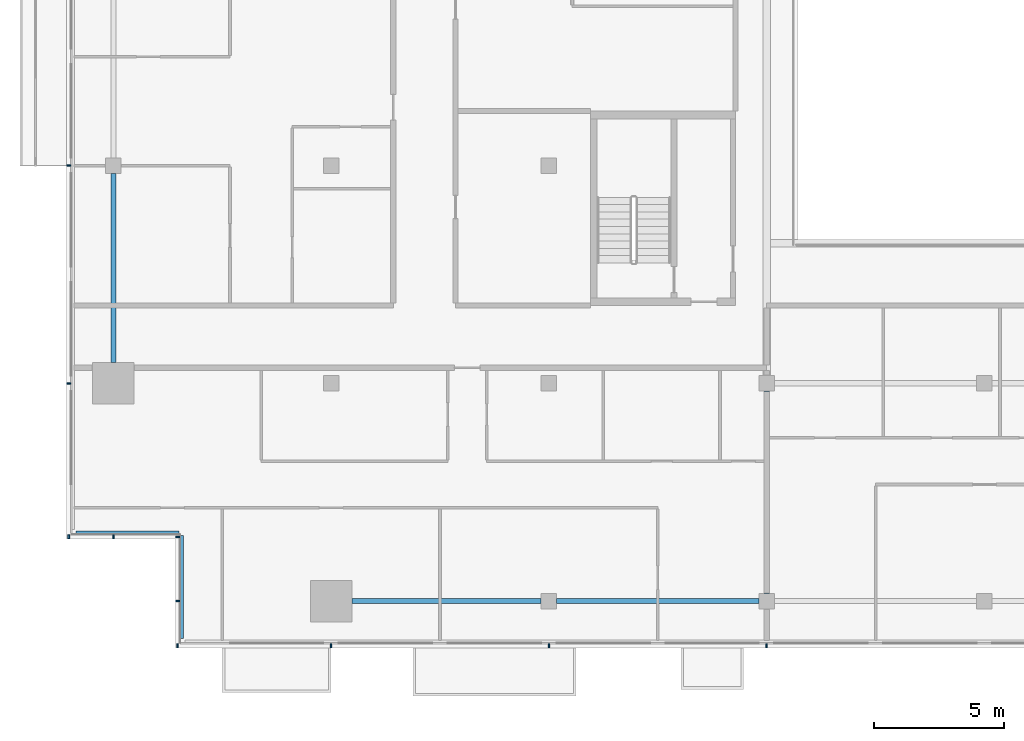
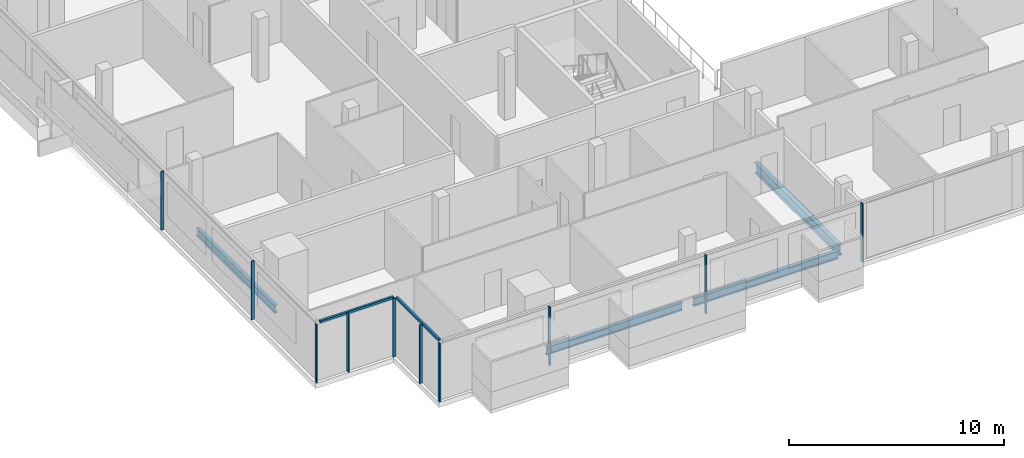
# One storey, part 2 of 29: 12 members, 4 beams, 4 elements without a shape of their own.
"""IFC4 building model written with IfcOpenShell, lengths in metres."""

from ifc_helpers import new_model, si_unit, direction, frame, origin, origin_2d, place, context, subcontext, project, spatial, rectangle, i_section, extrude, material, material_profile, profile_set, type_object, element, aggregate, save


model = new_model("IFC4")

# Units and contexts
model_context = context("Model", 3, precision=1e-05, world=origin(), true_north=direction((0.0, 1.0)))
body_context = subcontext(model_context, "Body", "Model", "MODEL_VIEW")
ifc_project = project(units=[si_unit("LENGTHUNIT", "METRE"), si_unit("AREAUNIT", "SQUARE_METRE"), si_unit("VOLUMEUNIT", "CUBIC_METRE"), si_unit("PLANEANGLEUNIT", "RADIAN"), si_unit("MASSUNIT", "GRAM", prefix="KILO")], contexts=[model_context])

# Site, building, storey
site_placement = place(None, origin())
site = spatial("IfcSite", under=ifc_project, at=site_placement, CompositionType="ELEMENT")
building_placement = place(site_placement, origin())
building = spatial("IfcBuilding", under=site, at=building_placement, Name="Saffron Gate Tower", CompositionType="ELEMENT")
storey_placement = place(building_placement, frame((0.0, 0.0, 219.89990234375)))
storey = spatial("IfcBuildingStorey", under=building, at=storey_placement, Name="L53", CompositionType="ELEMENT", Elevation=219.89990234375)

# Beams
ifc_material_1 = material(Name="Structural steel S355", Category="steel")
ifc_material_profile_1 = material_profile(ifc_material_1, i_section(OverallWidth=0.219970703125, OverallDepth=0.60009765625, WebThickness=0.011962890625, FlangeThickness=0.01904296875, FilletRadius=0.02392578125, at=origin_2d()))
ifc_profile_set_1 = profile_set([ifc_material_profile_1], Name="Structural steel S355")
beam_type_1 = type_object("IfcBeamType", Name="B15 IPE 600", PredefinedType="BEAM", material=ifc_profile_set_1)
beam_1_placement = place(storey_placement, frame((75.0, 32.10009765625, -0.579833984375), z_axis=(0.0, 1.0, 0.0), x_axis=(-1.0, 0.0, 0.0)))
element("IfcBeam", 1, at=beam_1_placement, inside=storey, type_object=beam_type_1, Name="B15 FLOOR GIRDER", PredefinedType="BEAM", context=body_context, shape_type="SweptSolid", body=[
    extrude(i_section(OverallWidth=0.219970703125, OverallDepth=0.60009765625, WebThickness=0.011962890625, FlangeThickness=0.01904296875, FilletRadius=0.02392578125, at=origin_2d()), origin(), (0.0, 0.0, 1.0), 7.7998046875),
])
ifc_material_profile_2 = material_profile(ifc_material_1, i_section(OverallWidth=0.18994140625, OverallDepth=0.449951171875, WebThickness=0.009521484375, FlangeThickness=0.0146484375, FilletRadius=0.02099609375, at=origin_2d()))
ifc_profile_set_2 = profile_set([ifc_material_profile_2], Name="Structural steel S355")
beam_type_2 = type_object("IfcBeamType", Name="B7 IPE 450", PredefinedType="SPANDREL", material=ifc_profile_set_2)
for number, where, z_axis, x_axis, name in (
    (2, (49.800048828125, 41.0, -0.5048828125), (0.0, 1.0, 0.0), (-1.0, 0.0, 0.0), "B7 SPANDREL BEAM"),
    (3, (59.0, 31.800048828125, -0.5048828125), (1.0, 0.0, 0.0), (0.0, 1.0, 0.0), "B7 SPANDREL BEAM"),
):
    element("IfcBeam", number, at=place(storey_placement, frame(where, z_axis=z_axis, x_axis=x_axis)), inside=storey, type_object=beam_type_2, Name=name, PredefinedType="SPANDREL", context=body_context, shape_type="SweptSolid", body=[
        extrude(i_section(OverallWidth=0.18994140625, OverallDepth=0.449951171875, WebThickness=0.009521484375, FlangeThickness=0.0146484375, FilletRadius=0.02099609375, at=origin_2d()), origin(), (0.0, 0.0, 1.0), 7.300048828125),
    ])
beam_2_placement = place(storey_placement, frame((66.89990234375, 31.800048828125, -0.5048828125), z_axis=(1.0, 0.0, 0.0), x_axis=(0.0, 1.0, 0.0)))
element("IfcBeam", 4, at=beam_2_placement, inside=storey, type_object=beam_type_2, Name="B7 SPANDREL BEAM", PredefinedType="SPANDREL", context=body_context, shape_type="SweptSolid", body=[
    extrude(i_section(OverallWidth=0.18994140625, OverallDepth=0.449951171875, WebThickness=0.009521484375, FlangeThickness=0.0146484375, FilletRadius=0.02099609375, at=origin_2d()), origin(), (0.0, 0.0, 1.0), 7.800048828125),
])

# Curtain wall, members
ifc_material_2 = material(Name="Aluminium, bronze anodised", Category="aluminium")
curtain_wall_type_1 = type_object("IfcCurtainWallType", Name="CWS1 curtain wall front facade", PredefinedType="NOTDEFINED", material=ifc_material_2)
curtain_wall_1_placement = place(storey_placement, origin())
curtain_wall_1 = element("IfcCurtainWall", 5, at=curtain_wall_1_placement, inside=storey, type_object=curtain_wall_type_1, Name="CWS1 run 1", PredefinedType="NOTDEFINED")
ifc_material_profile_3 = material_profile(ifc_material_2, rectangle(XDim=0.159912109375, YDim=0.06005859375, at=origin_2d()))
ifc_profile_set_3 = profile_set([ifc_material_profile_3], Name="Aluminium, bronze anodised")
member_type_1 = type_object("IfcMemberType", Name="CWS1 mullion 60x160", PredefinedType="MULLION", material=ifc_profile_set_3)
member_1_placement = place(storey_placement, frame((52.280029296875, 30.080078125, 0.0), z_axis=(0.0, 0.0, 1.0), x_axis=(0.0, 1.0, 0.0)))
member_1 = element("IfcMember", 6, at=member_1_placement, type_object=member_type_1, Name="CWS1 mullion 1", PredefinedType="MULLION", context=body_context, shape_type="SweptSolid", body=[
    extrude(rectangle(XDim=0.159912109375, YDim=0.06005859375, at=origin_2d()), origin(), (0.0, 0.0, 1.0), 3.320068359375),
])
member_2_placement = place(storey_placement, frame((58.199951171875, 30.080078125, 0.0), z_axis=(0.0, 0.0, 1.0), x_axis=(0.0, 1.0, 0.0)))
member_2 = element("IfcMember", 7, at=member_2_placement, type_object=member_type_1, Name="CWS1 mullion 2", PredefinedType="MULLION", context=body_context, shape_type="SweptSolid", body=[
    extrude(rectangle(XDim=0.159912109375, YDim=0.06005859375, at=origin_2d()), origin(), (0.0, 0.0, 1.0), 3.320068359375),
])
member_3_placement = place(storey_placement, frame((66.60009765625, 30.080078125, 0.0), z_axis=(0.0, 0.0, 1.0), x_axis=(0.0, 1.0, 0.0)))
member_3 = element("IfcMember", 8, at=member_3_placement, type_object=member_type_1, Name="CWS1 mullion 3", PredefinedType="MULLION", context=body_context, shape_type="SweptSolid", body=[
    extrude(rectangle(XDim=0.159912109375, YDim=0.06005859375, at=origin_2d()), origin(), (0.0, 0.0, 1.0), 3.320068359375),
])
member_4_placement = place(storey_placement, frame((75.0, 30.080078125, 0.0), z_axis=(0.0, 0.0, 1.0), x_axis=(0.0, 1.0, 0.0)))
member_4 = element("IfcMember", 9, at=member_4_placement, type_object=member_type_1, Name="CWS1 mullion 4", PredefinedType="MULLION", context=body_context, shape_type="SweptSolid", body=[
    extrude(rectangle(XDim=0.159912109375, YDim=0.06005859375, at=origin_2d()), origin(), (0.0, 0.0, 1.0), 3.320068359375),
])
aggregate(curtain_wall_1, [member_1, member_2, member_3, member_4])

curtain_wall_type_2 = type_object("IfcCurtainWallType", Name="CWS2 curtain wall side facades", PredefinedType="NOTDEFINED", material=ifc_material_2)
curtain_wall_2_placement = place(storey_placement, origin())
curtain_wall_2 = element("IfcCurtainWall", 10, at=curtain_wall_2_placement, inside=storey, type_object=curtain_wall_type_2, Name="CWS2 run 10", PredefinedType="NOTDEFINED")
ifc_material_profile_4 = material_profile(ifc_material_2, rectangle(XDim=0.159912109375, YDim=0.06005859375, at=origin_2d()))
ifc_profile_set_4 = profile_set([ifc_material_profile_4], Name="Aluminium, bronze anodised")
member_type_2 = type_object("IfcMemberType", Name="CWS2 mullion 60x160", PredefinedType="MULLION", material=ifc_profile_set_4)
member_5_placement = place(storey_placement, frame((48.080078125, 48.60009765625, 0.0), z_axis=(0.0, 0.0, 1.0), x_axis=(1.0, 0.0, 0.0)))
member_5 = element("IfcMember", 11, at=member_5_placement, type_object=member_type_2, Name="CWS2 mullion 4", PredefinedType="MULLION", context=body_context, shape_type="SweptSolid", body=[
    extrude(rectangle(XDim=0.159912109375, YDim=0.06005859375, at=origin_2d()), origin(), (0.0, 0.0, 1.0), 3.320068359375),
])
member_6_placement = place(storey_placement, frame((48.080078125, 40.199951171875, 0.0), z_axis=(0.0, 0.0, 1.0), x_axis=(1.0, 0.0, 0.0)))
member_6 = element("IfcMember", 12, at=member_6_placement, type_object=member_type_2, Name="CWS2 mullion 5", PredefinedType="MULLION", context=body_context, shape_type="SweptSolid", body=[
    extrude(rectangle(XDim=0.159912109375, YDim=0.06005859375, at=origin_2d()), origin(), (0.0, 0.0, 1.0), 3.320068359375),
])
aggregate(curtain_wall_2, [member_5, member_6])

# Curtain wall, member
curtain_wall_type_3 = type_object("IfcCurtainWallType", Name="CWS4 curtain wall corner returns", PredefinedType="NOTDEFINED", material=ifc_material_2)
curtain_wall_3_placement = place(storey_placement, origin())
curtain_wall_3 = element("IfcCurtainWall", 13, at=curtain_wall_3_placement, inside=storey, type_object=curtain_wall_type_3, Name="CWS4 run 11", PredefinedType="NOTDEFINED")
ifc_material_profile_5 = material_profile(ifc_material_2, rectangle(XDim=0.1201171875, YDim=0.1201171875, at=origin_2d()))
ifc_profile_set_5 = profile_set([ifc_material_profile_5], Name="Aluminium, bronze anodised")
member_type_3 = type_object("IfcMemberType", Name="CWS4 head transom", PredefinedType="USERDEFINED", material=ifc_profile_set_5)
member_7_placement = place(storey_placement, frame((48.367919921875, 34.447998046875, 3.260009765625), z_axis=(1.0, 0.0, 0.0), x_axis=(0.0, 1.0, 0.0)))
member_7 = element("IfcMember", 14, at=member_7_placement, type_object=member_type_3, Name="CWS4 head transom", ObjectType="TRANSOM", PredefinedType="USERDEFINED", context=body_context, shape_type="SweptSolid", body=[
    extrude(rectangle(XDim=0.1201171875, YDim=0.1201171875, at=origin_2d()), origin(), (0.0, 0.0, 1.0), 3.9599609375),
])

curtain_wall_4_placement = place(storey_placement, origin())
curtain_wall_4 = element("IfcCurtainWall", 15, at=curtain_wall_4_placement, inside=storey, type_object=curtain_wall_type_3, Name="CWS4 run 12", PredefinedType="NOTDEFINED")
member_8_placement = place(storey_placement, frame((52.447998046875, 34.327880859375, 3.260009765625), z_axis=(0.0, -1.0, 0.0), x_axis=(1.0, 0.0, 0.0)))
member_8 = element("IfcMember", 16, at=member_8_placement, type_object=member_type_3, Name="CWS4 head transom", ObjectType="TRANSOM", PredefinedType="USERDEFINED", context=body_context, shape_type="SweptSolid", body=[
    extrude(rectangle(XDim=0.1201171875, YDim=0.1201171875, at=origin_2d()), origin(), (0.0, 0.0, 1.0), 3.9599609375),
])

# Member
ifc_material_profile_6 = material_profile(ifc_material_2, rectangle(XDim=0.159912109375, YDim=0.06005859375, at=origin_2d()))
ifc_profile_set_6 = profile_set([ifc_material_profile_6], Name="Aluminium, bronze anodised")
member_type_4 = type_object("IfcMemberType", Name="CWS4 mullion 60x160", PredefinedType="MULLION", material=ifc_profile_set_6)
member_9_placement = place(storey_placement, frame((48.080078125, 34.280029296875, 0.0), z_axis=(0.0, 0.0, 1.0), x_axis=(0.0, 1.0, 0.0)))
member_9 = element("IfcMember", 17, at=member_9_placement, type_object=member_type_4, Name="CWS4 mullion 1", PredefinedType="MULLION", context=body_context, shape_type="SweptSolid", body=[
    extrude(rectangle(XDim=0.159912109375, YDim=0.06005859375, at=origin_2d()), origin(), (0.0, 0.0, 1.0), 3.320068359375),
])

member_10_placement = place(storey_placement, frame((49.800048828125, 34.280029296875, 0.0), z_axis=(0.0, 0.0, 1.0), x_axis=(0.0, 1.0, 0.0)))
member_10 = element("IfcMember", 18, at=member_10_placement, type_object=member_type_4, Name="CWS4 mullion 2", PredefinedType="MULLION", context=body_context, shape_type="SweptSolid", body=[
    extrude(rectangle(XDim=0.159912109375, YDim=0.06005859375, at=origin_2d()), origin(), (0.0, 0.0, 1.0), 3.320068359375),
])

aggregate(curtain_wall_3, [member_9, member_10, member_7])

member_11_placement = place(storey_placement, frame((52.280029296875, 34.280029296875, 0.0), z_axis=(0.0, 0.0, 1.0), x_axis=(1.0, 0.0, 0.0)))
member_11 = element("IfcMember", 19, at=member_11_placement, type_object=member_type_4, Name="CWS4 mullion 1", PredefinedType="MULLION", context=body_context, shape_type="SweptSolid", body=[
    extrude(rectangle(XDim=0.159912109375, YDim=0.06005859375, at=origin_2d()), origin(), (0.0, 0.0, 1.0), 3.320068359375),
])

member_12_placement = place(storey_placement, frame((52.280029296875, 31.800048828125, 0.0), z_axis=(0.0, 0.0, 1.0), x_axis=(1.0, 0.0, 0.0)))
member_12 = element("IfcMember", 20, at=member_12_placement, type_object=member_type_4, Name="CWS4 mullion 2", PredefinedType="MULLION", context=body_context, shape_type="SweptSolid", body=[
    extrude(rectangle(XDim=0.159912109375, YDim=0.06005859375, at=origin_2d()), origin(), (0.0, 0.0, 1.0), 3.320068359375),
])

aggregate(curtain_wall_4, [member_11, member_12, member_8])

save(model, "model.ifc")
